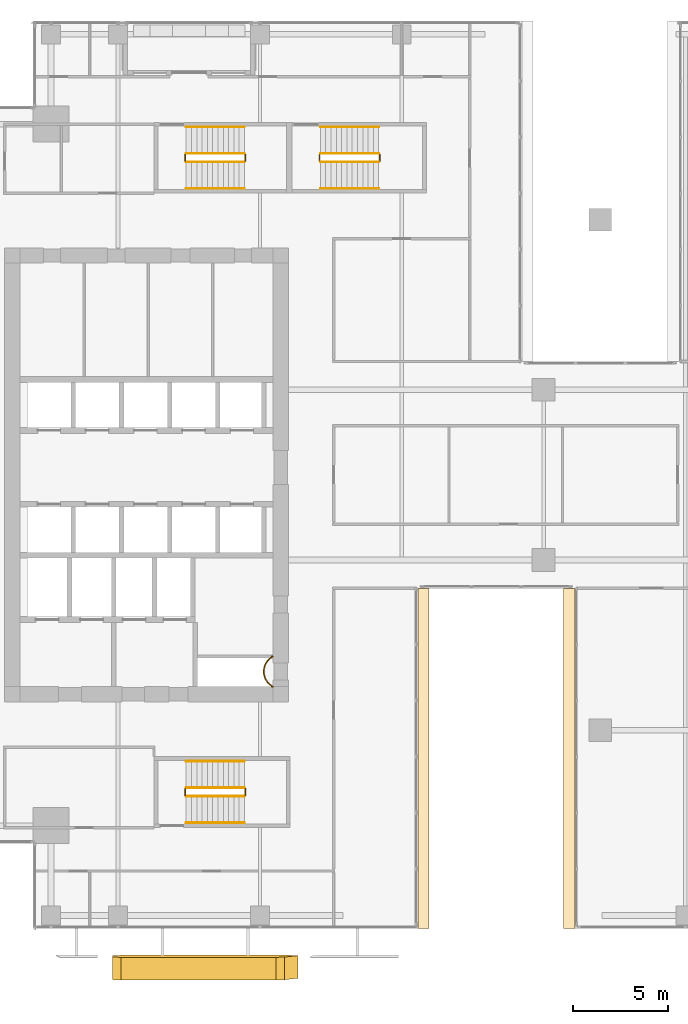
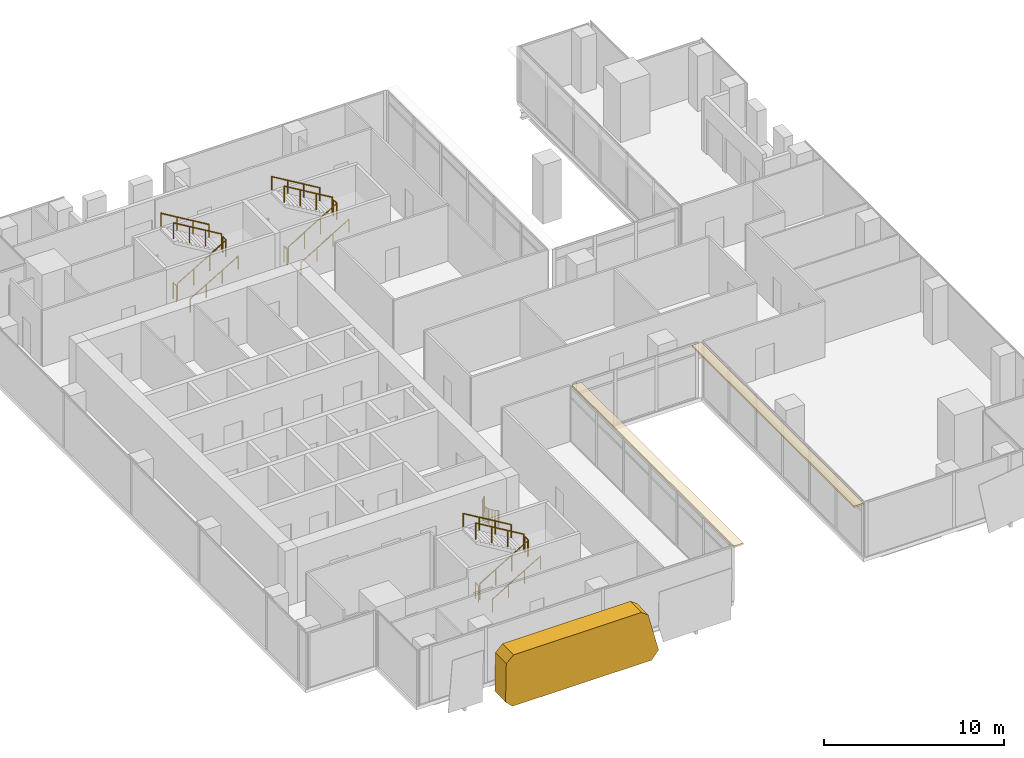
# One storey, part 38 of 40: 19 railings, 3 coverings.
"""IFC4 building model written with IfcOpenShell, lengths in metres."""

from ifc_helpers import new_model, si_unit, direction, frame, origin, origin_2d, place, context, subcontext, project, spatial, polyline, circle, outline, extrude, source, transform, mapped, material, layer, layer_set, type_object, element, save


model = new_model("IFC4")

# Units and contexts
model_context = context("Model", 3, precision=1e-05, world=origin(), true_north=direction((0.0, 1.0)))
body_context = subcontext(model_context, "Body", "Model", "MODEL_VIEW")
ifc_project = project(units=[si_unit("LENGTHUNIT", "METRE"), si_unit("AREAUNIT", "SQUARE_METRE"), si_unit("VOLUMEUNIT", "CUBIC_METRE"), si_unit("PLANEANGLEUNIT", "RADIAN"), si_unit("MASSUNIT", "GRAM", prefix="KILO")], contexts=[model_context])

# Site, building, storey
site_placement = place(None, origin())
site = spatial("IfcSite", under=ifc_project, at=site_placement, CompositionType="ELEMENT")
building_placement = place(site_placement, origin())
building = spatial("IfcBuilding", under=site, at=building_placement, Name="Khomas Fold Tower", CompositionType="ELEMENT")
storey_placement = place(building_placement, frame((0.0, 0.0, 180.699951171875)))
storey = spatial("IfcBuildingStorey", under=building, at=storey_placement, Name="L39", CompositionType="ELEMENT", Elevation=180.699951171875)

# Coverings
ifc_material_1 = material(Name="Natural stone cladding", Category="masonry")
ifc_layer_1 = layer(ifc_material_1, 1.199951171875)
ifc_layer_set_1 = layer_set([ifc_layer_1], Name="Natural stone cladding")
covering_type_1 = type_object("IfcCoveringType", Name="SK-Karibib marble stone panel", PredefinedType="CLADDING", material=ifc_layer_set_1)
covering_1_placement = place(storey_placement, frame((20.79541015625, 1.49853515625, 3.217041015625), z_axis=(1.81007e-07, 0.999510867358, 0.031273407774), x_axis=(0.260084924467, 0.030197109708, -0.965113447544)))
element("IfcCovering", 1, at=covering_1_placement, inside=storey, type_object=covering_type_1, Name="OUTER SKIN leaf L39 SS03-1", PredefinedType="CLADDING", context=body_context, shape_type="SweptSolid", body=[
    extrude(outline(polyline([(0.0, 0.0), (2.745685201147372, 2.220446049250313e-16), (3.180614851300089, 0.5669561917253647), (0.859280703672856, 9.185091857463942), (0.3075736646152478, 9.502474844611365), (-2.25261756909566, 8.81287565918153), (-2.570273575050964, 8.261325770791114), (-0.43473251555648657, 0.3329615629537107), (0.0, 0.0)])), origin(), (0.0, 0.0, -1.0), 1.199951171875),
])
ifc_material_2 = material(Name="Natural stone cladding", Category="masonry")
ifc_layer_2 = layer(ifc_material_2, 0.1201171875)
ifc_layer_set_2 = layer_set([ifc_layer_2], Name="Natural stone cladding")
covering_type_2 = type_object("IfcCoveringType", Name="Notch soffit stone GN-SF", PredefinedType="CLADDING", material=ifc_layer_set_2)
shared_shape_1 = source(origin(), body_context, "Body", "SweptSolid", [
    extrude(outline(polyline([(35.550048828125, 21.0), (35.550048828125, 3.0), (36.14990234375, 3.0), (36.14990234375, 21.0), (35.550048828125, 21.0)])), origin(), (0.0, 0.0, 1.0), 0.119873046875),
])
covering_2_placement = place(storey_placement, frame((0.0, 0.0, 3.630126953125)))
element("IfcCovering", 2, at=covering_2_placement, inside=storey, type_object=covering_type_2, Name="Notch soffit stone", PredefinedType="CLADDING", context=body_context, shape_type="MappedRepresentation", body=[
    mapped(shared_shape_1, transform((0.0, 0.0, 0.0))),
])
shared_shape_2 = source(origin(), body_context, "Body", "SweptSolid", [
    extrude(outline(polyline([(28.449951171875, 3.0), (28.449951171875, 21.0), (27.85009765625, 21.0), (27.85009765625, 3.0), (28.449951171875, 3.0)])), origin(), (0.0, 0.0, 1.0), 0.119873046875),
])
covering_3_placement = place(storey_placement, frame((0.0, 0.0, 3.630126953125)))
element("IfcCovering", 3, at=covering_3_placement, inside=storey, type_object=covering_type_2, Name="Notch soffit stone", PredefinedType="CLADDING", context=body_context, shape_type="MappedRepresentation", body=[
    mapped(shared_shape_2, transform((0.0, 0.0, 0.0))),
])

# Railings
ifc_material_3 = material(Name="Steel balustrade", Category="steel")
railing_type_1 = type_object("IfcRailingType", Name="Stair guard", PredefinedType="GUARDRAIL", material=ifc_material_3)
shared_shape_3 = source(origin(), body_context, "Body", "SweptSolid", [
    extrude(circle(Radius=0.02392578125, at=origin_2d()), frame((0.0, 0.0, 1.076171875), z_axis=(0.0, 1.0, 0.0), x_axis=(-1.0, 0.0, 0.0)), (0.0, 0.0, 1.0), 0.349853515625),
    extrude(circle(Radius=0.02099609375, at=origin_2d()), origin(), (0.0, 0.0, 1.0), 1.052001953125),
    extrude(circle(Radius=0.02099609375, at=origin_2d()), frame((0.0, 0.349853515625, 0.0)), (0.0, 0.0, 1.0), 1.052001953125),
])
for number, where, name in (
    (4, (18.72998046875, 43.60009765625, 2.0), "L39 ST1 stair guard 2"),
    (5, (15.550048828125, 43.60009765625, 0.0), "L39 ST1 stair guard 4"),
    (6, (18.72998046875, 10.050048828125, 2.0), "L39 ST2 stair guard 2"),
    (7, (15.550048828125, 10.050048828125, 0.0), "L39 ST2 stair guard 4"),
    (8, (25.830078125, 43.60009765625, 2.0), "L39 ST3 stair guard 2"),
    (9, (22.64990234375, 43.60009765625, 0.0), "L39 ST3 stair guard 4"),
):
    element("IfcRailing", number, at=place(storey_placement, frame(where)), inside=storey, type_object=railing_type_1, Name=name, PredefinedType="GUARDRAIL", context=body_context, shape_type="MappedRepresentation", body=[
        mapped(shared_shape_3, transform((0.0, 0.0, 0.0))),
    ])
shared_shape_4 = source(origin(), body_context, "Body", "SweptSolid", [
    extrude(circle(Radius=0.02392578125, at=origin_2d()), frame((0.0, 0.0, 1.076171875), z_axis=(0.859290745958, 0.0, 0.51148745235), x_axis=(0.0, 1.0, 0.0)), (0.0, 0.0, 1.0), 3.584228515625),
    extrude(circle(Radius=0.02099609375, at=origin_2d()), origin(), (0.0, 0.0, 1.0), 1.052001953125),
    extrude(circle(Radius=0.02099609375, at=origin_2d()), frame((1.026611328125, 0.0, 0.611083984375)), (0.0, 0.0, 1.0), 1.052001953125),
    extrude(circle(Radius=0.02099609375, at=origin_2d()), frame((2.05322265625, 0.0, 1.22216796875)), (0.0, 0.0, 1.0), 1.052001953125),
    extrude(circle(Radius=0.02099609375, at=origin_2d()), frame((3.079833984375, 0.0, 1.833251953125)), (0.0, 0.0, 1.0), 1.052001953125),
])
for number, where, name in (
    (10, (15.60009765625, 43.550048828125, 0.166748046875), "L39 ST1 stair guard 1"),
    (11, (15.60009765625, 10.0, 0.166748046875), "L39 ST2 stair guard 1"),
):
    element("IfcRailing", number, at=place(storey_placement, frame(where)), inside=storey, type_object=railing_type_1, Name=name, PredefinedType="GUARDRAIL", context=body_context, shape_type="MappedRepresentation", body=[
        mapped(shared_shape_4, transform((0.0, 0.0, 0.0))),
    ])
shared_shape_5 = source(origin(), body_context, "Body", "SweptSolid", [
    extrude(circle(Radius=0.02392578125, at=origin_2d()), frame((0.0, 0.0, 1.076171875), z_axis=(-0.859290745958, 0.0, 0.51148745235), x_axis=(0.0, -1.0, 0.0)), (0.0, 0.0, 1.0), 3.584228515625),
    extrude(circle(Radius=0.02099609375, at=origin_2d()), origin(), (0.0, 0.0, 1.0), 1.052001953125),
    extrude(circle(Radius=0.02099609375, at=origin_2d()), frame((-1.026611328125, 0.0, 0.611083984375)), (0.0, 0.0, 1.0), 1.052001953125),
    extrude(circle(Radius=0.02099609375, at=origin_2d()), frame((-2.05322265625, 0.0, 1.22216796875)), (0.0, 0.0, 1.0), 1.052001953125),
    extrude(circle(Radius=0.02099609375, at=origin_2d()), frame((-3.079833984375, 0.0, 1.833251953125)), (0.0, 0.0, 1.0), 1.052001953125),
])
for number, where, name in (
    (12, (18.679931640625, 44.0, 2.166748046875), "L39 ST1 stair guard 3"),
    (13, (18.679931640625, 10.449951171875, 2.166748046875), "L39 ST2 stair guard 3"),
):
    element("IfcRailing", number, at=place(storey_placement, frame(where)), inside=storey, type_object=railing_type_1, Name=name, PredefinedType="GUARDRAIL", context=body_context, shape_type="MappedRepresentation", body=[
        mapped(shared_shape_5, transform((0.0, 0.0, 0.0))),
    ])
ifc_material_4 = material(Name="Steel handrail", Category="steel")
railing_type_2 = type_object("IfcRailingType", Name="Stair handrail", PredefinedType="HANDRAIL", material=ifc_material_4)
shared_shape_6 = source(origin(), body_context, "Body", "SweptSolid", [
    extrude(circle(Radius=0.02392578125, at=origin_2d()), frame((0.0, 0.0, 0.8759765625), z_axis=(0.859290745958, 0.0, 0.51148745235), x_axis=(0.0, 1.0, 0.0)), (0.0, 0.0, 1.0), 3.584228515625),
    extrude(circle(Radius=0.02099609375, at=origin_2d()), origin(), (0.0, 0.0, 1.0), 0.851806640625),
    extrude(circle(Radius=0.02099609375, at=origin_2d()), frame((1.026611328125, 0.0, 0.611083984375)), (0.0, 0.0, 1.0), 0.851806640625),
    extrude(circle(Radius=0.02099609375, at=origin_2d()), frame((2.05322265625, 0.0, 1.22216796875)), (0.0, 0.0, 1.0), 0.851806640625),
    extrude(circle(Radius=0.02099609375, at=origin_2d()), frame((3.079833984375, 0.0, 1.833251953125)), (0.0, 0.0, 1.0), 0.851806640625),
])
for number, where, name in (
    (14, (15.60009765625, 42.14990234375, 0.166748046875), "L39 ST1 stair handrail 1"),
    (15, (15.60009765625, 8.60009765625, 0.166748046875), "L39 ST2 stair handrail 1"),
):
    element("IfcRailing", number, at=place(storey_placement, frame(where)), inside=storey, type_object=railing_type_2, Name=name, PredefinedType="HANDRAIL", context=body_context, shape_type="MappedRepresentation", body=[
        mapped(shared_shape_6, transform((0.0, 0.0, 0.0))),
    ])
shared_shape_7 = source(origin(), body_context, "Body", "SweptSolid", [
    extrude(circle(Radius=0.02392578125, at=origin_2d()), frame((0.0, 0.0, 0.8759765625), z_axis=(-0.859290745958, 0.0, 0.51148745235), x_axis=(0.0, -1.0, 0.0)), (0.0, 0.0, 1.0), 3.584228515625),
    extrude(circle(Radius=0.02099609375, at=origin_2d()), origin(), (0.0, 0.0, 1.0), 0.851806640625),
    extrude(circle(Radius=0.02099609375, at=origin_2d()), frame((-1.026611328125, 0.0, 0.611083984375)), (0.0, 0.0, 1.0), 0.851806640625),
    extrude(circle(Radius=0.02099609375, at=origin_2d()), frame((-2.05322265625, 0.0, 1.22216796875)), (0.0, 0.0, 1.0), 0.851806640625),
    extrude(circle(Radius=0.02099609375, at=origin_2d()), frame((-3.079833984375, 0.0, 1.833251953125)), (0.0, 0.0, 1.0), 0.851806640625),
])
for number, where, name in (
    (16, (18.679931640625, 45.39990234375, 2.166748046875), "L39 ST1 stair handrail 2"),
    (17, (18.679931640625, 11.85009765625, 2.166748046875), "L39 ST2 stair handrail 2"),
):
    element("IfcRailing", number, at=place(storey_placement, frame(where)), inside=storey, type_object=railing_type_2, Name=name, PredefinedType="HANDRAIL", context=body_context, shape_type="MappedRepresentation", body=[
        mapped(shared_shape_7, transform((0.0, 0.0, 0.0))),
    ])
shared_shape_8 = source(origin(), body_context, "Body", "SweptSolid", [
    extrude(circle(Radius=0.02392578125, at=origin_2d()), frame((0.0, 0.0, 1.076171875), z_axis=(0.859308565015, 0.0, 0.511457515432), x_axis=(0.0, 1.0, 0.0)), (0.0, 0.0, 1.0), 3.58447265625),
    extrude(circle(Radius=0.02099609375, at=origin_2d()), origin(), (0.0, 0.0, 1.0), 1.052001953125),
    extrude(circle(Radius=0.02099609375, at=origin_2d()), frame((1.026611328125, 0.0, 0.611083984375)), (0.0, 0.0, 1.0), 1.052001953125),
    extrude(circle(Radius=0.02099609375, at=origin_2d()), frame((2.053466796875, 0.0, 1.22216796875)), (0.0, 0.0, 1.0), 1.052001953125),
    extrude(circle(Radius=0.02099609375, at=origin_2d()), frame((3.080078125, 0.0, 1.833251953125)), (0.0, 0.0, 1.0), 1.052001953125),
])
railing_1_placement = place(storey_placement, frame((22.699951171875, 43.550048828125, 0.166748046875)))
element("IfcRailing", 18, at=railing_1_placement, inside=storey, type_object=railing_type_1, Name="L39 ST3 stair guard 1", PredefinedType="GUARDRAIL", context=body_context, shape_type="MappedRepresentation", body=[
    mapped(shared_shape_8, transform((0.0, 0.0, 0.0))),
])
shared_shape_9 = source(origin(), body_context, "Body", "SweptSolid", [
    extrude(circle(Radius=0.02392578125, at=origin_2d()), frame((0.0, 0.0, 1.076171875), z_axis=(-0.859308565015, 0.0, 0.511457515432), x_axis=(0.0, -1.0, 0.0)), (0.0, 0.0, 1.0), 3.58447265625),
    extrude(circle(Radius=0.02099609375, at=origin_2d()), origin(), (0.0, 0.0, 1.0), 1.052001953125),
    extrude(circle(Radius=0.02099609375, at=origin_2d()), frame((-1.026611328125, 0.0, 0.611083984375)), (0.0, 0.0, 1.0), 1.052001953125),
    extrude(circle(Radius=0.02099609375, at=origin_2d()), frame((-2.053466796875, 0.0, 1.22216796875)), (0.0, 0.0, 1.0), 1.052001953125),
    extrude(circle(Radius=0.02099609375, at=origin_2d()), frame((-3.080078125, 0.0, 1.833251953125)), (0.0, 0.0, 1.0), 1.052001953125),
])
railing_2_placement = place(storey_placement, frame((25.780029296875, 44.0, 2.166748046875)))
element("IfcRailing", 19, at=railing_2_placement, inside=storey, type_object=railing_type_1, Name="L39 ST3 stair guard 3", PredefinedType="GUARDRAIL", context=body_context, shape_type="MappedRepresentation", body=[
    mapped(shared_shape_9, transform((0.0, 0.0, 0.0))),
])
shared_shape_10 = source(origin(), body_context, "Body", "SweptSolid", [
    extrude(circle(Radius=0.02392578125, at=origin_2d()), frame((0.0, 0.0, 0.8759765625), z_axis=(0.859308565015, 0.0, 0.511457515432), x_axis=(0.0, 1.0, 0.0)), (0.0, 0.0, 1.0), 3.58447265625),
    extrude(circle(Radius=0.02099609375, at=origin_2d()), origin(), (0.0, 0.0, 1.0), 0.851806640625),
    extrude(circle(Radius=0.02099609375, at=origin_2d()), frame((1.026611328125, 0.0, 0.611083984375)), (0.0, 0.0, 1.0), 0.851806640625),
    extrude(circle(Radius=0.02099609375, at=origin_2d()), frame((2.053466796875, 0.0, 1.22216796875)), (0.0, 0.0, 1.0), 0.851806640625),
    extrude(circle(Radius=0.02099609375, at=origin_2d()), frame((3.080078125, 0.0, 1.833251953125)), (0.0, 0.0, 1.0), 0.851806640625),
])
railing_3_placement = place(storey_placement, frame((22.699951171875, 42.14990234375, 0.166748046875)))
element("IfcRailing", 20, at=railing_3_placement, inside=storey, type_object=railing_type_2, Name="L39 ST3 stair handrail 1", PredefinedType="HANDRAIL", context=body_context, shape_type="MappedRepresentation", body=[
    mapped(shared_shape_10, transform((0.0, 0.0, 0.0))),
])
shared_shape_11 = source(origin(), body_context, "Body", "SweptSolid", [
    extrude(circle(Radius=0.02392578125, at=origin_2d()), frame((0.0, 0.0, 0.8759765625), z_axis=(-0.859308565015, 0.0, 0.511457515432), x_axis=(0.0, -1.0, 0.0)), (0.0, 0.0, 1.0), 3.58447265625),
    extrude(circle(Radius=0.02099609375, at=origin_2d()), origin(), (0.0, 0.0, 1.0), 0.851806640625),
    extrude(circle(Radius=0.02099609375, at=origin_2d()), frame((-1.026611328125, 0.0, 0.611083984375)), (0.0, 0.0, 1.0), 0.851806640625),
    extrude(circle(Radius=0.02099609375, at=origin_2d()), frame((-2.053466796875, 0.0, 1.22216796875)), (0.0, 0.0, 1.0), 0.851806640625),
    extrude(circle(Radius=0.02099609375, at=origin_2d()), frame((-3.080078125, 0.0, 1.833251953125)), (0.0, 0.0, 1.0), 0.851806640625),
])
railing_4_placement = place(storey_placement, frame((25.780029296875, 45.39990234375, 2.166748046875)))
element("IfcRailing", 21, at=railing_4_placement, inside=storey, type_object=railing_type_2, Name="L39 ST3 stair handrail 2", PredefinedType="HANDRAIL", context=body_context, shape_type="MappedRepresentation", body=[
    mapped(shared_shape_11, transform((0.0, 0.0, 0.0))),
])
ifc_material_5 = material(Name="Steel balustrade", Category="steel")
railing_type_3 = type_object("IfcRailingType", Name="Shaft guard", PredefinedType="GUARDRAIL", material=ifc_material_5)
shared_shape_12 = source(origin(), body_context, "Body", "SweptSolid", [
    extrude(circle(Radius=0.02490234375, at=origin_2d()), frame((0.0, 0.0, 1.0751953125), z_axis=(1.0, 0.0, 0.0), x_axis=(0.0, 1.0, 0.0)), (0.0, 0.0, 1.0), 0.06103515625),
    extrude(circle(Radius=0.02490234375, at=origin_2d()), frame((0.06103515625, 0.0, 1.0751953125), z_axis=(-0.90746690712, -0.420123568111, 0.0), x_axis=(0.420123568111, -0.90746690712, 0.0)), (0.0, 0.0, 1.0), 0.0146484375),
    extrude(circle(Radius=0.02490234375, at=origin_2d()), frame((0.0478515625, -0.006103515625, 1.0751953125), z_axis=(-0.857492925713, -0.514495755428, 0.0), x_axis=(0.514495755428, -0.857492925713, 0.0)), (0.0, 0.0, 1.0), 0.08837890625),
    extrude(circle(Radius=0.02490234375, at=origin_2d()), frame((-0.02783203125, -0.051513671875, 1.0751953125), z_axis=(-0.802970227885, -0.596019138224, 0.0), x_axis=(0.596019138224, -0.802970227885, 0.0)), (0.0, 0.0, 1.0), 0.08837890625),
    extrude(circle(Radius=0.02490234375, at=origin_2d()), frame((-0.098876953125, -0.104248046875, 1.0751953125), z_axis=(-0.740814996175, -0.671709119666, 0.0), x_axis=(0.671709119666, -0.740814996175, 0.0)), (0.0, 0.0, 1.0), 0.08837890625),
    extrude(circle(Radius=0.02490234375, at=origin_2d()), frame((-0.164306640625, -0.16357421875, 1.0751953125), z_axis=(-0.671709119666, -0.740814996175, 0.0), x_axis=(0.740814996175, -0.671709119666, 0.0)), (0.0, 0.0, 1.0), 0.08837890625),
    extrude(circle(Radius=0.02490234375, at=origin_2d()), frame((-0.2236328125, -0.22900390625, 1.0751953125), z_axis=(-0.595558727233, -0.803311771616, 0.0), x_axis=(0.803311771616, -0.595558727233, 0.0)), (0.0, 0.0, 1.0), 0.088134765625),
    extrude(circle(Radius=0.02490234375, at=origin_2d()), frame((-0.276123046875, -0.2998046875, 1.0751953125), z_axis=(-0.514495755428, -0.857492925713, 0.0), x_axis=(0.857492925713, -0.514495755428, 0.0)), (0.0, 0.0, 1.0), 0.08837890625),
    extrude(circle(Radius=0.02490234375, at=origin_2d()), frame((-0.321533203125, -0.37548828125, 1.0751953125), z_axis=(-0.427256721383, -0.904130352346, 0.0), x_axis=(0.904130352346, -0.427256721383, 0.0)), (0.0, 0.0, 1.0), 0.088623046875),
    extrude(circle(Radius=0.02490234375, at=origin_2d()), frame((-0.359375, -0.45556640625, 1.0751953125), z_axis=(-0.337738989679, -0.941239807302, 0.0), x_axis=(0.941239807302, -0.337738989679, 0.0)), (0.0, 0.0, 1.0), 0.088134765625),
    extrude(circle(Radius=0.02490234375, at=origin_2d()), frame((-0.38916015625, -0.53857421875, 1.0751953125), z_axis=(-0.243185799972, -0.969979724887, 0.0), x_axis=(0.969979724887, -0.243185799972, 0.0)), (0.0, 0.0, 1.0), 0.08837890625),
    extrude(circle(Radius=0.02490234375, at=origin_2d()), frame((-0.41064453125, -0.624267578125, 1.0751953125), z_axis=(-0.146448518259, -0.989218293148, 0.0), x_axis=(0.989218293148, -0.146448518259, 0.0)), (0.0, 0.0, 1.0), 0.08837890625),
    extrude(circle(Radius=0.02490234375, at=origin_2d()), frame((-0.423583984375, -0.711669921875, 1.0751953125), z_axis=(-0.049799629132, -0.998759228712, 0.0), x_axis=(0.998759228712, -0.049799629132, 0.0)), (0.0, 0.0, 1.0), 0.088134765625),
    extrude(circle(Radius=0.02490234375, at=origin_2d()), frame((-0.427978515625, -0.7998046875, 1.0751953125), z_axis=(0.049662400856, -0.998766061669, 0.0), x_axis=(0.998766061669, 0.049662400856, 0.0)), (0.0, 0.0, 1.0), 0.08837890625),
    extrude(circle(Radius=0.02490234375, at=origin_2d()), frame((-0.423583984375, -0.88818359375, 1.0751953125), z_axis=(0.146448518259, -0.989218293148, 0.0), x_axis=(0.989218293148, 0.146448518259, 0.0)), (0.0, 0.0, 1.0), 0.08837890625),
    extrude(circle(Radius=0.02490234375, at=origin_2d()), frame((-0.41064453125, -0.9755859375, 1.0751953125), z_axis=(0.243185799972, -0.969979724887, 0.0), x_axis=(0.969979724887, 0.243185799972, 0.0)), (0.0, 0.0, 1.0), 0.08837890625),
    extrude(circle(Radius=0.02490234375, at=origin_2d()), frame((-0.38916015625, -1.061279296875, 1.0751953125), z_axis=(0.337738989679, -0.941239807302, 0.0), x_axis=(0.941239807302, 0.337738989679, 0.0)), (0.0, 0.0, 1.0), 0.088134765625),
    extrude(circle(Radius=0.02490234375, at=origin_2d()), frame((-0.359375, -1.144287109375, 1.0751953125), z_axis=(0.428323905606, -0.903625271828, 0.0), x_axis=(0.903625271828, 0.428323905606, 0.0)), (0.0, 0.0, 1.0), 0.08837890625),
    extrude(circle(Radius=0.02490234375, at=origin_2d()), frame((-0.321533203125, -1.22412109375, 1.0751953125), z_axis=(0.514495755428, -0.857492925713, 0.0), x_axis=(0.857492925713, 0.514495755428, 0.0)), (0.0, 0.0, 1.0), 0.08837890625),
    extrude(circle(Radius=0.02490234375, at=origin_2d()), frame((-0.276123046875, -1.2998046875, 1.0751953125), z_axis=(0.594235623595, -0.804291006819, 0.0), x_axis=(0.804291006819, 0.594235623595, 0.0)), (0.0, 0.0, 1.0), 0.08837890625),
    extrude(circle(Radius=0.02490234375, at=origin_2d()), frame((-0.2236328125, -1.370849609375, 1.0751953125), z_axis=(0.671709119666, -0.740814996175, 0.0), x_axis=(0.740814996175, 0.671709119666, 0.0)), (0.0, 0.0, 1.0), 0.08837890625),
    extrude(circle(Radius=0.02490234375, at=origin_2d()), frame((-0.164306640625, -1.436279296875, 1.0751953125), z_axis=(0.740814996175, -0.671709119666, 0.0), x_axis=(0.671709119666, 0.740814996175, 0.0)), (0.0, 0.0, 1.0), 0.08837890625),
    extrude(circle(Radius=0.02490234375, at=origin_2d()), frame((-0.098876953125, -1.49560546875, 1.0751953125), z_axis=(0.804291006819, -0.594235623595, 0.0), x_axis=(0.594235623595, 0.804291006819, 0.0)), (0.0, 0.0, 1.0), 0.08837890625),
    extrude(circle(Radius=0.02490234375, at=origin_2d()), frame((-0.02783203125, -1.548095703125, 1.0751953125), z_axis=(0.857492925713, -0.514495755428, 0.0), x_axis=(0.514495755428, 0.857492925713, 0.0)), (0.0, 0.0, 1.0), 0.08837890625),
    extrude(circle(Radius=0.02490234375, at=origin_2d()), frame((0.0478515625, -1.593505859375, 1.0751953125), z_axis=(0.901001669759, -0.433815618773, 0.0), x_axis=(0.433815618773, 0.901001669759, 0.0)), (0.0, 0.0, 1.0), 0.0146484375),
    extrude(circle(Radius=0.02490234375, at=origin_2d()), frame((0.06103515625, -1.599853515625, 1.0751953125), z_axis=(-1.0, 0.0, 0.0), x_axis=(0.0, -1.0, 0.0)), (0.0, 0.0, 1.0), 0.06103515625),
    extrude(circle(Radius=0.02001953125, at=origin_2d()), origin(), (0.0, 0.0, 1.0), 1.050048828125),
    extrude(circle(Radius=0.02001953125, at=origin_2d()), frame((0.06103515625, 0.0, 0.0)), (0.0, 0.0, 1.0), 1.050048828125),
    extrude(circle(Radius=0.02001953125, at=origin_2d()), frame((0.0478515625, -0.006103515625, 0.0)), (0.0, 0.0, 1.0), 1.050048828125),
    extrude(circle(Radius=0.02001953125, at=origin_2d()), frame((-0.02783203125, -0.051513671875, 0.0)), (0.0, 0.0, 1.0), 1.050048828125),
    extrude(circle(Radius=0.02001953125, at=origin_2d()), frame((-0.098876953125, -0.104248046875, 0.0)), (0.0, 0.0, 1.0), 1.050048828125),
    extrude(circle(Radius=0.02001953125, at=origin_2d()), frame((-0.164306640625, -0.16357421875, 0.0)), (0.0, 0.0, 1.0), 1.050048828125),
    extrude(circle(Radius=0.02001953125, at=origin_2d()), frame((-0.2236328125, -0.22900390625, 0.0)), (0.0, 0.0, 1.0), 1.050048828125),
    extrude(circle(Radius=0.02001953125, at=origin_2d()), frame((-0.276123046875, -0.2998046875, 0.0)), (0.0, 0.0, 1.0), 1.050048828125),
    extrude(circle(Radius=0.02001953125, at=origin_2d()), frame((-0.321533203125, -0.37548828125, 0.0)), (0.0, 0.0, 1.0), 1.050048828125),
    extrude(circle(Radius=0.02001953125, at=origin_2d()), frame((-0.359375, -0.45556640625, 0.0)), (0.0, 0.0, 1.0), 1.050048828125),
    extrude(circle(Radius=0.02001953125, at=origin_2d()), frame((-0.38916015625, -0.53857421875, 0.0)), (0.0, 0.0, 1.0), 1.050048828125),
    extrude(circle(Radius=0.02001953125, at=origin_2d()), frame((-0.41064453125, -0.624267578125, 0.0)), (0.0, 0.0, 1.0), 1.050048828125),
    extrude(circle(Radius=0.02001953125, at=origin_2d()), frame((-0.423583984375, -0.711669921875, 0.0)), (0.0, 0.0, 1.0), 1.050048828125),
    extrude(circle(Radius=0.02001953125, at=origin_2d()), frame((-0.427978515625, -0.7998046875, 0.0)), (0.0, 0.0, 1.0), 1.050048828125),
    extrude(circle(Radius=0.02001953125, at=origin_2d()), frame((-0.423583984375, -0.88818359375, 0.0)), (0.0, 0.0, 1.0), 1.050048828125),
    extrude(circle(Radius=0.02001953125, at=origin_2d()), frame((-0.41064453125, -0.9755859375, 0.0)), (0.0, 0.0, 1.0), 1.050048828125),
    extrude(circle(Radius=0.02001953125, at=origin_2d()), frame((-0.38916015625, -1.061279296875, 0.0)), (0.0, 0.0, 1.0), 1.050048828125),
    extrude(circle(Radius=0.02001953125, at=origin_2d()), frame((-0.359375, -1.144287109375, 0.0)), (0.0, 0.0, 1.0), 1.050048828125),
    extrude(circle(Radius=0.02001953125, at=origin_2d()), frame((-0.321533203125, -1.22412109375, 0.0)), (0.0, 0.0, 1.0), 1.050048828125),
    extrude(circle(Radius=0.02001953125, at=origin_2d()), frame((-0.276123046875, -1.2998046875, 0.0)), (0.0, 0.0, 1.0), 1.050048828125),
    extrude(circle(Radius=0.02001953125, at=origin_2d()), frame((-0.2236328125, -1.370849609375, 0.0)), (0.0, 0.0, 1.0), 1.050048828125),
    extrude(circle(Radius=0.02001953125, at=origin_2d()), frame((-0.164306640625, -1.436279296875, 0.0)), (0.0, 0.0, 1.0), 1.050048828125),
    extrude(circle(Radius=0.02001953125, at=origin_2d()), frame((-0.098876953125, -1.49560546875, 0.0)), (0.0, 0.0, 1.0), 1.050048828125),
    extrude(circle(Radius=0.02001953125, at=origin_2d()), frame((-0.02783203125, -1.548095703125, 0.0)), (0.0, 0.0, 1.0), 1.050048828125),
    extrude(circle(Radius=0.02001953125, at=origin_2d()), frame((0.0478515625, -1.593505859375, 0.0)), (0.0, 0.0, 1.0), 1.050048828125),
    extrude(circle(Radius=0.02001953125, at=origin_2d()), frame((0.06103515625, -1.599853515625, 0.0)), (0.0, 0.0, 1.0), 1.050048828125),
    extrude(circle(Radius=0.02001953125, at=origin_2d()), frame((0.0, -1.599853515625, 0.0)), (0.0, 0.0, 1.0), 1.050048828125),
])
railing_5_placement = place(storey_placement, frame((20.1279296875, 17.39990234375, 0.0)))
element("IfcRailing", 22, at=railing_5_placement, inside=storey, type_object=railing_type_3, Name="Shaft guard L39 1", PredefinedType="GUARDRAIL", context=body_context, shape_type="MappedRepresentation", body=[
    mapped(shared_shape_12, transform((0.0, 0.0, 0.0))),
])

save(model, "model.ifc")
